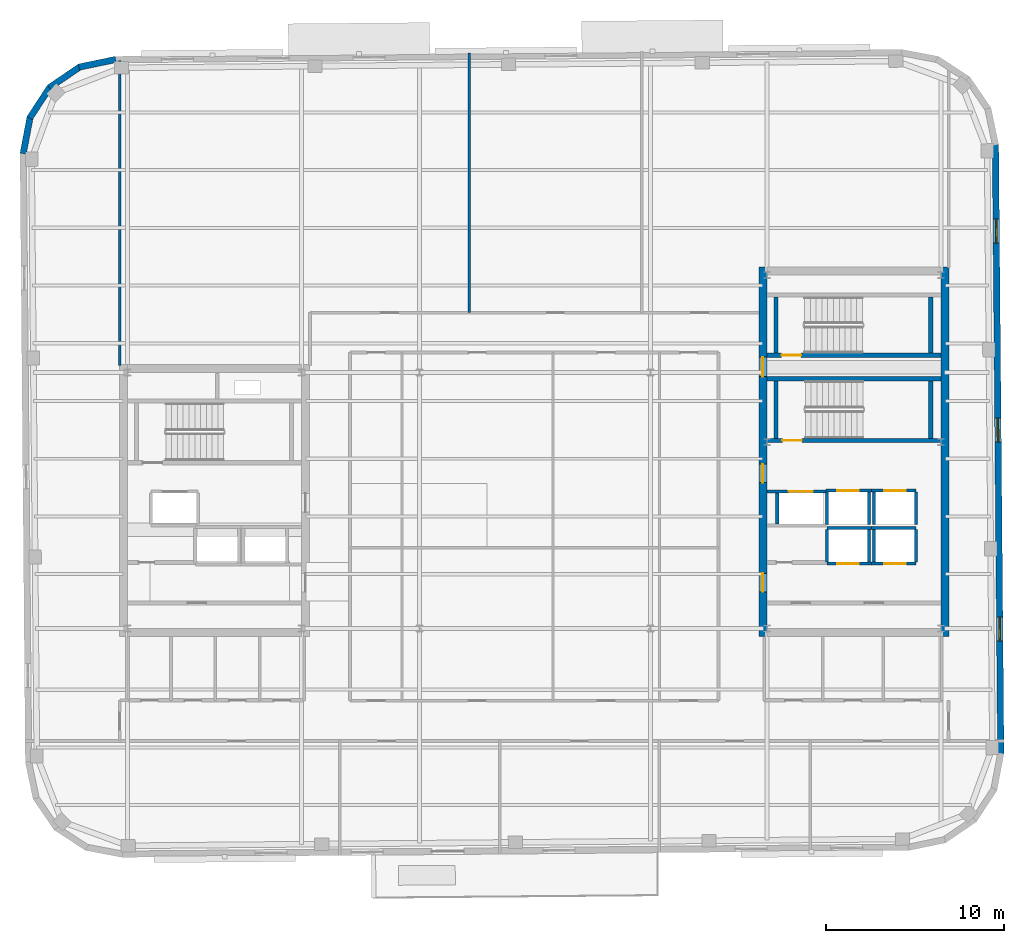
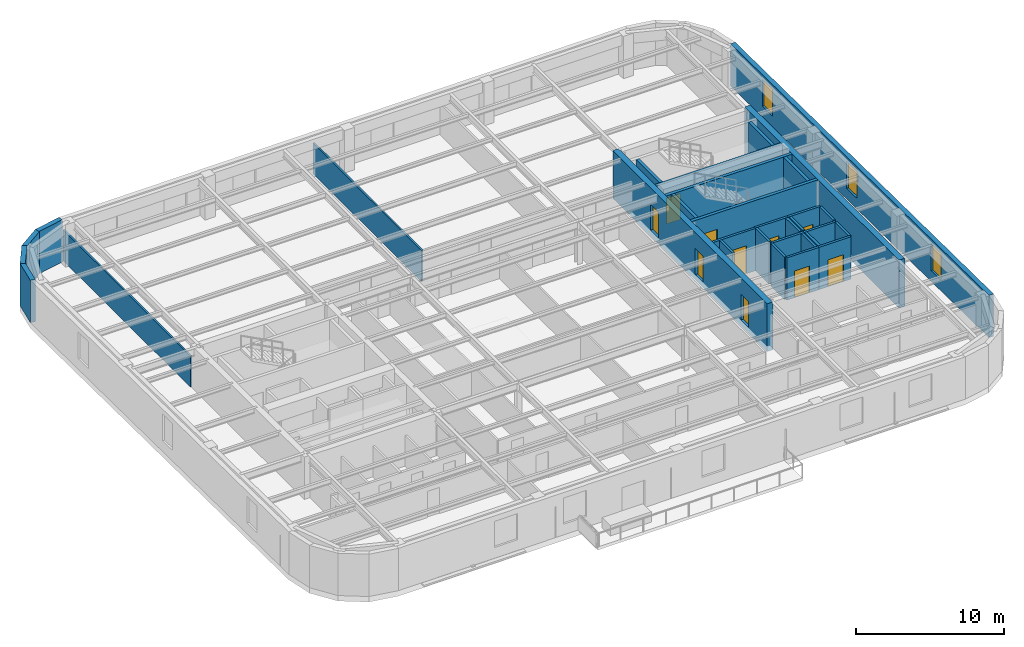
# One storey, part 9 of 14: 32 walls, 10 doors, 3 windows, 13 openings.
"""IFC4 building model written with IfcOpenShell, lengths in metres."""

import ifcopenshell
import ifcopenshell.guid

model = None  # the IFC model being written
_history = None  # IfcOwnerHistory: only IFC2X3 demands one
_inside = {}  # id of a spatial element -> (the spatial element, [elements in it])
_under = {}  # id of a project, library or spatial element -> (it, [spatial elements below it])
_declared = {}  # id of a project -> (the project, [libraries it declares])
_typed = {}  # id of a type object -> (the type object, [elements of that type])
_made_of = {}  # id of a material, layer set ... -> (it, [elements and type objects made of it])


def new_model(schema):
    """Start an empty IFC model of exactly this schema.

    Asked for "IFC4X3", IfcOpenShell would pick the latest addendum, in which some entities
    have other attributes; the version numbers below select the first issue.
    IFC2X3 requires an IfcOwnerHistory on every rooted entity: one is made here for all.
    """
    global model, _history
    if schema == "IFC4X3":
        model = ifcopenshell.file(schema_version=(4, 3, 0, 0))
    else:
        model = ifcopenshell.file(schema=schema)
    _inside.clear()
    _under.clear()
    _declared.clear()
    _typed.clear()
    _made_of.clear()
    _history = None
    if model.schema == "IFC2X3":
        org = make("IfcOrganization", Name="unknown")
        user = make(
            "IfcPersonAndOrganization",
            ThePerson=make("IfcPerson", FamilyName="unknown"),
            TheOrganization=org,
        )
        app = make(
            "IfcApplication",
            ApplicationDeveloper=org,
            Version="unknown",
            ApplicationFullName="unknown",
            ApplicationIdentifier="unknown",
        )
        _history = make(
            "IfcOwnerHistory",
            OwningUser=user,
            OwningApplication=app,
            ChangeAction="ADDED",
            CreationDate=0,
        )
    return model


def make(cls, **values):
    """One entity of the class cls with the attributes given. An attribute that is None is left unset."""
    return model.create_entity(
        cls, **{name: value for name, value in values.items() if value is not None}
    )


def rooted(cls, **values):
    """An entity with a GlobalId (a new one), such as an element, a storey or a relation."""
    return make(cls, GlobalId=ifcopenshell.guid.new(), OwnerHistory=_history, **values)


def si_unit(unit_type, name, prefix=None):
    """IfcSIUnit, for example si_unit("LENGTHUNIT", "METRE", prefix="MILLI")."""
    return make("IfcSIUnit", UnitType=unit_type, Prefix=prefix, Name=name)


def assignment(units):
    """IfcUnitAssignment: the units of a project."""
    return None if units is None else make("IfcUnitAssignment", Units=units)


def point(xyz):
    """IfcCartesianPoint."""
    return None if xyz is None else make("IfcCartesianPoint", Coordinates=xyz)


def direction(xyz):
    """IfcDirection."""
    return None if xyz is None else make("IfcDirection", DirectionRatios=xyz)


def frame(location, z_axis=None, x_axis=None):
    """IfcAxis2Placement3D, a coordinate frame: its origin and axes. An axis left out is left unset."""
    return make(
        "IfcAxis2Placement3D",
        Location=point(location),
        Axis=direction(z_axis),
        RefDirection=direction(x_axis),
    )


def frame_2d(location, x_axis=None):
    """IfcAxis2Placement2D, a coordinate frame in the plane: its origin and x axis."""
    return make(
        "IfcAxis2Placement2D", Location=point(location), RefDirection=direction(x_axis)
    )


def origin():
    """The frame at (0, 0, 0) with its axes left unset."""
    return frame((0.0, 0.0, 0.0))


def place(relative_to, where):
    """IfcLocalPlacement: puts the frame where relative to a parent placement (None: the world)."""
    return make(
        "IfcLocalPlacement", PlacementRelTo=relative_to, RelativePlacement=where
    )


def context(
    kind, dimensions, precision=None, world=None, true_north=None, identifier=None
):
    """IfcGeometricRepresentationContext, for example the 3D "Model" context."""
    return make(
        "IfcGeometricRepresentationContext",
        ContextIdentifier=identifier,
        ContextType=kind,
        CoordinateSpaceDimension=dimensions,
        Precision=precision,
        WorldCoordinateSystem=world,
        TrueNorth=true_north,
    )


def subcontext(parent, identifier, kind, view, scale=None):
    """IfcGeometricRepresentationSubContext, for example "Body" below "Model"."""
    return make(
        "IfcGeometricRepresentationSubContext",
        ContextIdentifier=identifier,
        ContextType=kind,
        ParentContext=parent,
        TargetScale=scale,
        TargetView=view,
    )


def project(units=None, contexts=None):
    """IfcProject with its units and contexts."""
    return rooted(
        "IfcProject",
        Name="project",
        RepresentationContexts=contexts,
        UnitsInContext=assignment(units),
    )


def spatial(cls, under=None, at=None, **own):
    """A site, building, storey or space (cls), placed at a placement, below another one or the project."""
    s = rooted(cls, ObjectPlacement=at, **own)
    if under is not None:
        _under.setdefault(under.id(), (under, []))[1].append(s)
    return s


def profile(cls, at=None, kind="AREA", **sizes):
    """A parametric profile (cls). Its sizes go by their IFC names, for example OverallWidth=200.0."""
    return make(cls, ProfileType=kind, Position=at, **sizes)


def rectangle(**sizes):
    """IfcRectangleProfileDef."""
    return profile("IfcRectangleProfileDef", **sizes)


def extrude(swept, where, along, depth):
    """IfcExtrudedAreaSolid: the profile swept, set in the frame where, extruded along a direction by depth."""
    return make(
        "IfcExtrudedAreaSolid",
        SweptArea=swept,
        Position=where,
        ExtrudedDirection=direction(along),
        Depth=depth,
    )


def shape(context_of_items, identifier, shape_type, items):
    """IfcShapeRepresentation: the items that make up one representation, for example the "Body"."""
    return make(
        "IfcShapeRepresentation",
        ContextOfItems=context_of_items,
        RepresentationIdentifier=identifier,
        RepresentationType=shape_type,
        Items=items,
    )


def material(Name=None, Category=None):
    """IfcMaterial."""
    return make("IfcMaterial", Name=Name, Category=Category)


def layer(
    of_material, thickness, ventilated=None, Name=None, Category=None, Priority=None
):
    """IfcMaterialLayer: one layer of a wall or slab, of a material (None: an air gap)."""
    return make(
        "IfcMaterialLayer",
        Material=of_material,
        LayerThickness=thickness,
        IsVentilated=ventilated,
        Name=Name,
        Category=Category,
        Priority=Priority,
    )


def layer_set(layers, Name=None):
    """IfcMaterialLayerSet."""
    return make("IfcMaterialLayerSet", MaterialLayers=layers, LayerSetName=Name)


def made_of(thing, what):
    """Note that an element or type object is made of a material, layer set ...; save() writes the relation."""
    if what is not None:
        _made_of.setdefault(what.id(), (what, []))[1].append(thing)
    return thing


def type_object(cls, material=None, **own):
    """A type object (cls), such as IfcWallType, which elements share."""
    return made_of(rooted(cls, **own), material)


def element(
    cls,
    number,
    at=None,
    inside=None,
    cuts=None,
    type_object=None,
    material=None,
    context=None,
    identifier="Body",
    shape_type=None,
    held_by="IfcProductDefinitionShape",
    body=None,
    shapes=None,
    **own,
):
    """One element of the class cls, such as IfcWall. Its Tag is "e" and its number.

    at: its placement. inside: the storey or other place that contains it. cuts: it is an
    opening in that element (IfcRelVoidsElement). A single representation is given by context,
    identifier, shape_type and body (its items); several are given by shapes. held_by: the class
    of the entity that holds the representations. save() writes the other relations.
    """
    e = rooted(cls, Tag="e%d" % number, ObjectPlacement=at, **own)
    if body is not None:
        shapes = [shape(context, identifier, shape_type, body)]
    if shapes is not None:
        e.Representation = make(held_by, Representations=shapes)
    if inside is not None:
        _inside.setdefault(inside.id(), (inside, []))[1].append(e)
    if cuts is not None:
        rooted(
            "IfcRelVoidsElement", RelatingBuildingElement=cuts, RelatedOpeningElement=e
        )
    if type_object is not None:
        _typed.setdefault(type_object.id(), (type_object, []))[1].append(e)
    return made_of(e, material)


def fill(opening, filler):
    """IfcRelFillsElement: the door or window that sits in an opening."""
    return rooted(
        "IfcRelFillsElement",
        RelatingOpeningElement=opening,
        RelatedBuildingElement=filler,
    )


def aggregate(whole, parts):
    """IfcRelAggregates: a whole, such as a stair, and the parts it consists of."""
    return rooted("IfcRelAggregates", RelatingObject=whole, RelatedObjects=parts)


def save(model, path):
    """Write the relations noted so far, then the file.

    IfcRelAggregates (storeys below a building ...), IfcRelContainedInSpatialStructure (elements
    in a storey), IfcRelDefinesByType, IfcRelAssociatesMaterial and IfcRelDeclares: one each for
    every whole, place, type object, material and project.
    """
    for whole, parts in _under.values():
        aggregate(whole, parts)
    for where, things in _inside.values():
        rooted(
            "IfcRelContainedInSpatialStructure",
            RelatedElements=things,
            RelatingStructure=where,
        )
    for kind, things in _typed.values():
        rooted("IfcRelDefinesByType", RelatedObjects=things, RelatingType=kind)
    for what, things in _made_of.values():
        rooted("IfcRelAssociatesMaterial", RelatedObjects=things, RelatingMaterial=what)
    for by, libraries in _declared.values():
        rooted("IfcRelDeclares", RelatingContext=by, RelatedDefinitions=libraries)
    model.write(path)


model = new_model("IFC4")

# Units and contexts
model_context = context("Model", 3, precision=1e-05, world=origin(), true_north=direction((0.0, 1.0)))
body_context = subcontext(model_context, "Body", "Model", "MODEL_VIEW")
ifc_project = project(units=[si_unit("LENGTHUNIT", "METRE"), si_unit("AREAUNIT", "SQUARE_METRE"), si_unit("VOLUMEUNIT", "CUBIC_METRE"), si_unit("PLANEANGLEUNIT", "RADIAN"), si_unit("MASSUNIT", "GRAM", prefix="KILO")], contexts=[model_context])

# Site, building, storey
site_placement = place(None, origin())
site = spatial("IfcSite", under=ifc_project, at=site_placement, CompositionType="ELEMENT")
building_placement = place(site_placement, origin())
building = spatial("IfcBuilding", under=site, at=building_placement, Name="Kolvaren Arena Tower", CompositionType="ELEMENT")
storey_placement = place(building_placement, frame((0.0, 0.0, 274.89990234375)))
storey = spatial("IfcBuildingStorey", under=building, at=storey_placement, Name="L67", CompositionType="ELEMENT", Elevation=274.89990234375)

# Wall, openings, doors
ifc_material_1 = material(Name="Concrete 55 MPa", Category="concrete")
ifc_layer_1 = layer(ifc_material_1, 0.449951171875)
ifc_layer_set_1 = layer_set([ifc_layer_1], Name="Concrete 55 MPa")
wall_type_1 = type_object("IfcWallType", Name="CWALL-450", PredefinedType="SHEAR", material=ifc_layer_set_1)
wall_1_placement = place(storey_placement, frame((50.324951171875, 19.0, -0.449951171875), z_axis=(0.0, 0.0, 1.0), x_axis=(0.0, 1.0, 0.0)))
wall_1 = element("IfcWall", 1, at=wall_1_placement, inside=storey, type_object=wall_type_1, Name="Core Shear Wall EC-WEST (L67)", PredefinedType="SHEAR", context=body_context, shape_type="SweptSolid", body=[
    extrude(rectangle(XDim=20.800048828125, YDim=0.449951171875, at=frame_2d((10.39990234375, 0.0))), origin(), (0.0, 0.0, 1.0), 3.929931640625),
])
opening_1_placement = place(wall_1_placement, frame((2.5, 0.0, 0.449951171875)))
opening_1 = element("IfcOpeningElement", 2, at=opening_1_placement, cuts=wall_1, Name="Opening D04", PredefinedType="OPENING", context=body_context, shape_type="SweptSolid", body=[
    extrude(rectangle(XDim=1.050048828125, YDim=2.14990234375, at=frame_2d((0.52490234375, 1.074951171875))), frame((0.0, 0.23486328125, 0.0), z_axis=(0.0, -1.0, 0.0), x_axis=(1.0, 0.0, 0.0)), (0.0, 0.0, 1.0), 0.469970703125),
])
opening_2_placement = place(wall_1_placement, frame((8.64990234375, 0.0, 0.449951171875)))
opening_2 = element("IfcOpeningElement", 3, at=opening_2_placement, cuts=wall_1, Name="Opening D04", PredefinedType="OPENING", context=body_context, shape_type="SweptSolid", body=[
    extrude(rectangle(XDim=1.050048828125, YDim=2.14990234375, at=frame_2d((0.52490234375, 1.074951171875))), frame((0.0, 0.23486328125, 0.0), z_axis=(0.0, -1.0, 0.0), x_axis=(1.0, 0.0, 0.0)), (0.0, 0.0, 1.0), 0.469970703125),
])
opening_3_placement = place(wall_1_placement, frame((14.6201171875, 0.0, 0.449951171875)))
opening_3 = element("IfcOpeningElement", 4, at=opening_3_placement, cuts=wall_1, Name="Opening D03", PredefinedType="OPENING", context=body_context, shape_type="SweptSolid", body=[
    extrude(rectangle(XDim=1.10009765625, YDim=2.14990234375, at=frame_2d((0.550048828125, 1.074951171875))), frame((0.0, 0.23486328125, 0.0), z_axis=(0.0, -1.0, 0.0), x_axis=(1.0, 0.0, 0.0)), (0.0, 0.0, 1.0), 0.469970703125),
])
ifc_material_2 = material(Name="Fire-rated steel lobby door", Category="steel")
door_type_1 = type_object("IfcDoorType", Name="DOOR-FF-105", OperationType="NOTDEFINED", PredefinedType="DOOR", material=ifc_material_2)
door_1_placement = place(opening_1_placement, origin())
door_1 = element("IfcDoor", 5, at=door_1_placement, inside=storey, type_object=door_type_1, Name="East Lift Lobby Fire Door (L67)", OperationType="SINGLE_SWING_RIGHT", OverallHeight=2.14990234375, OverallWidth=1.050048828125, PredefinedType="DOOR", context=body_context, shape_type="SweptSolid", body=[
    extrude(rectangle(XDim=1.050048828125, YDim=2.14990234375, at=frame_2d((0.52490234375, 1.074951171875))), frame((0.0, 0.02490234375, 0.0), z_axis=(0.0, -1.0, 0.0), x_axis=(1.0, 0.0, 0.0)), (0.0, 0.0, 1.0), 0.050048828125),
])
fill(opening_1, door_1)
door_2_placement = place(opening_2_placement, origin())
door_2 = element("IfcDoor", 6, at=door_2_placement, inside=storey, type_object=door_type_1, Name="East Firefighter Vestibule Door (L67)", OperationType="SINGLE_SWING_LEFT", OverallHeight=2.14990234375, OverallWidth=1.050048828125, PredefinedType="DOOR", context=body_context, shape_type="SweptSolid", body=[
    extrude(rectangle(XDim=1.050048828125, YDim=2.14990234375, at=frame_2d((0.52490234375, 1.074951171875))), frame((0.0, 0.02490234375, 0.0), z_axis=(0.0, -1.0, 0.0), x_axis=(1.0, 0.0, 0.0)), (0.0, 0.0, 1.0), 0.050048828125),
])
fill(opening_2, door_2)
ifc_material_3 = material(Name="Fire-rated steel exit stair door", Category="steel")
door_type_2 = type_object("IfcDoorType", Name="DOOR-ST-110", OperationType="NOTDEFINED", PredefinedType="DOOR", material=ifc_material_3)
door_3_placement = place(opening_3_placement, origin())
door_3 = element("IfcDoor", 7, at=door_3_placement, inside=storey, type_object=door_type_2, Name="Stair ST-E2 Vestibule Fire Door (L67)", OperationType="SINGLE_SWING_LEFT", OverallHeight=2.14990234375, OverallWidth=1.10009765625, PredefinedType="DOOR", context=body_context, shape_type="SweptSolid", body=[
    extrude(rectangle(XDim=1.10009765625, YDim=2.14990234375, at=frame_2d((0.550048828125, 1.074951171875))), frame((0.0, 0.02490234375, 0.0), z_axis=(0.0, -1.0, 0.0), x_axis=(1.0, 0.0, 0.0)), (0.0, 0.0, 1.0), 0.050048828125),
])
fill(opening_3, door_3)

# Wall
wall_2_placement = place(storey_placement, frame((60.574951171875, 19.0, -0.449951171875), z_axis=(0.0, 0.0, 1.0), x_axis=(0.0, 1.0, 0.0)))
element("IfcWall", 8, at=wall_2_placement, inside=storey, type_object=wall_type_1, Name="Core Shear Wall EC-EAST (L67)", PredefinedType="SHEAR", context=body_context, shape_type="SweptSolid", body=[
    extrude(rectangle(XDim=20.800048828125, YDim=0.449951171875, at=frame_2d((10.39990234375, 0.0))), origin(), (0.0, 0.0, 1.0), 3.929931640625),
])

# Wall, openings, windows
ifc_material_4 = material(Name="Precast concrete C50/60", Category="concrete")
ifc_layer_2 = layer(ifc_material_4, 0.360107421875)
ifc_layer_set_2 = layer_set([ifc_layer_2], Name="Precast concrete C50/60")
wall_type_2 = type_object("IfcWallType", Name="EXT-PIER2", PredefinedType="SOLIDWALL", material=ifc_layer_set_2)
wall_3_placement = place(storey_placement, frame((63.419189453125, 46.688232421875, 0.0), z_axis=(0.0, 0.0, 1.0), x_axis=(0.008726391715, -0.999961924319, 0.0)))
wall_3 = element("IfcWall", 9, at=wall_3_placement, inside=storey, type_object=wall_type_2, Name="Exterior Precast Masonry-Frame Wall (L67)", PredefinedType="SOLIDWALL", context=body_context, shape_type="SweptSolid", body=[
    extrude(rectangle(XDim=34.300048828125, YDim=0.360107421875, at=frame_2d((17.14990234375, 0.0))), origin(), (0.0, 0.0, 1.0), 3.47998046875),
])
opening_4_placement = place(wall_3_placement, frame((4.199951171875, 0.0, 0.8798828125)))
opening_4 = element("IfcOpeningElement", 10, at=opening_4_placement, cuts=wall_3, Name="Opening W04", PredefinedType="OPENING", context=body_context, shape_type="SweptSolid", body=[
    extrude(rectangle(XDim=1.35009765625, YDim=2.199951171875, at=frame_2d((0.675048828125, 1.10009765625))), frame((0.0, 0.18994140625, 0.0), z_axis=(0.0, -1.0, 0.0), x_axis=(1.0, 0.0, 0.0)), (0.0, 0.0, 1.0), 0.380126953125),
])
opening_5_placement = place(wall_3_placement, frame((15.39990234375, 0.0, 0.8798828125)))
opening_5 = element("IfcOpeningElement", 11, at=opening_5_placement, cuts=wall_3, Name="Opening W04", PredefinedType="OPENING", context=body_context, shape_type="SweptSolid", body=[
    extrude(rectangle(XDim=1.35009765625, YDim=2.199951171875, at=frame_2d((0.675048828125, 1.10009765625))), frame((0.0, 0.18994140625, 0.0), z_axis=(0.0, -1.0, 0.0), x_axis=(1.0, 0.0, 0.0)), (0.0, 0.0, 1.0), 0.380126953125),
])
opening_6_placement = place(wall_3_placement, frame((26.60009765625, 0.0, 0.8798828125)))
opening_6 = element("IfcOpeningElement", 12, at=opening_6_placement, cuts=wall_3, Name="Opening W04", PredefinedType="OPENING", context=body_context, shape_type="SweptSolid", body=[
    extrude(rectangle(XDim=1.35009765625, YDim=2.199951171875, at=frame_2d((0.675048828125, 1.10009765625))), frame((0.0, 0.18994140625, 0.0), z_axis=(0.0, -1.0, 0.0), x_axis=(1.0, 0.0, 0.0)), (0.0, 0.0, 1.0), 0.380126953125),
])
ifc_material_5 = material(Name="Triple-glazed curved-facet corner window", Category="glass")
window_type = type_object("IfcWindowType", Name="WIN-CRN-A", PartitioningType="SINGLE_PANEL", PredefinedType="WINDOW", material=ifc_material_5)
window_1_placement = place(opening_4_placement, origin())
window_1 = element("IfcWindow", 13, at=window_1_placement, inside=storey, type_object=window_type, Name="End-Wall Punched Window (L67)", OverallHeight=2.199951171875, OverallWidth=1.35009765625, PartitioningType="SINGLE_PANEL", PredefinedType="WINDOW", context=body_context, shape_type="SweptSolid", body=[
    extrude(rectangle(XDim=1.35009765625, YDim=2.199951171875, at=frame_2d((0.675048828125, 1.10009765625))), frame((0.0, 0.030029296875, 0.0), z_axis=(0.0, -1.0, 0.0), x_axis=(1.0, 0.0, 0.0)), (0.0, 0.0, 1.0), 0.06005859375),
])
fill(opening_4, window_1)
window_2_placement = place(opening_5_placement, origin())
window_2 = element("IfcWindow", 14, at=window_2_placement, inside=storey, type_object=window_type, Name="End-Wall Punched Window (L67)", OverallHeight=2.199951171875, OverallWidth=1.35009765625, PartitioningType="SINGLE_PANEL", PredefinedType="WINDOW", context=body_context, shape_type="SweptSolid", body=[
    extrude(rectangle(XDim=1.35009765625, YDim=2.199951171875, at=frame_2d((0.675048828125, 1.10009765625))), frame((0.0, 0.030029296875, 0.0), z_axis=(0.0, -1.0, 0.0), x_axis=(1.0, 0.0, 0.0)), (0.0, 0.0, 1.0), 0.06005859375),
])
fill(opening_5, window_2)
window_3_placement = place(opening_6_placement, origin())
window_3 = element("IfcWindow", 15, at=window_3_placement, inside=storey, type_object=window_type, Name="End-Wall Punched Window (L67)", OverallHeight=2.199951171875, OverallWidth=1.35009765625, PartitioningType="SINGLE_PANEL", PredefinedType="WINDOW", context=body_context, shape_type="SweptSolid", body=[
    extrude(rectangle(XDim=1.35009765625, YDim=2.199951171875, at=frame_2d((0.675048828125, 1.10009765625))), frame((0.0, 0.030029296875, 0.0), z_axis=(0.0, -1.0, 0.0), x_axis=(1.0, 0.0, 0.0)), (0.0, 0.0, 1.0), 0.06005859375),
])
fill(opening_6, window_3)

# Walls
for number, where, z_axis, x_axis, name in (
    (16, (11.827880859375, 51.050537109375, 0.0), (0.0, 0.0, 1.0), (0.97905458633, 0.203597929717, 0.0), "Exterior Precast Masonry-Frame Wall (L67)"),
    (17, (10.15087890625, 49.89208984375, 0.0), (0.0, 0.0, 1.0), (0.826609569219, 0.56277581689, 0.0), "Exterior Precast Masonry-Frame Wall (L67)"),
):
    element("IfcWall", number, at=place(storey_placement, frame(where, z_axis=z_axis, x_axis=x_axis)), inside=storey, type_object=wall_type_2, Name=name, PredefinedType="SOLIDWALL", context=body_context, shape_type="SweptSolid", body=[
        extrude(rectangle(XDim=2.10693359375, YDim=0.360107421875, at=frame_2d((1.053466796875, 0.0))), origin(), (0.0, 0.0, 1.0), 3.47998046875),
    ])
for number, where, z_axis, x_axis, name in (
    (18, (9.044921875, 48.18017578125, 0.0), (0.0, 0.0, 1.0), (0.548266637224, 0.836303589916, 0.0), "Exterior Precast Masonry-Frame Wall (L67)"),
    (19, (8.67822265625, 46.17529296875, 0.0), (0.0, 0.0, 1.0), (0.186547695246, 0.982445905584, 0.0), "Exterior Precast Masonry-Frame Wall (L67)"),
):
    element("IfcWall", number, at=place(storey_placement, frame(where, z_axis=z_axis, x_axis=x_axis)), inside=storey, type_object=wall_type_2, Name=name, PredefinedType="SOLIDWALL", context=body_context, shape_type="SweptSolid", body=[
        extrude(rectangle(XDim=2.107177734375, YDim=0.360107421875, at=frame_2d((1.0537109375, 0.0))), origin(), (0.0, 0.0, 1.0), 3.47998046875),
    ])
ifc_material_6 = material(Name="Gypsum board partition assembly", Category="gypsum")
ifc_layer_3 = layer(ifc_material_6, 0.135009765625)
ifc_layer_set_3 = layer_set([ifc_layer_3], Name="Gypsum board partition assembly")
wall_type_3 = type_object("IfcWallType", Name="PART-135", PredefinedType="PARTITIONING", material=ifc_layer_set_3)
wall_4_placement = place(storey_placement, frame((33.800048828125, 37.219970703125, 0.0), z_axis=(0.0, 0.0, 1.0), x_axis=(0.0, 1.0, 0.0)))
element("IfcWall", 20, at=wall_4_placement, inside=storey, type_object=wall_type_3, Name="Interior Partition Wall (L67)", PredefinedType="PARTITIONING", context=body_context, shape_type="SweptSolid", body=[
    extrude(rectangle(XDim=14.60986328125, YDim=0.135009765625, at=frame_2d((7.304931640625, 0.0))), origin(), (0.0, 0.0, 1.0), 2.5400390625),
])
wall_5_placement = place(storey_placement, frame((14.1201171875, 34.25, 0.0), z_axis=(0.0, 0.0, 1.0), x_axis=(0.0, 1.0, 0.0)))
element("IfcWall", 21, at=wall_5_placement, inside=storey, type_object=wall_type_3, Name="Interior Partition Wall (L67)", PredefinedType="PARTITIONING", context=body_context, shape_type="SweptSolid", body=[
    extrude(rectangle(XDim=17.168212890625, YDim=0.135009765625, at=frame_2d((8.583984375, 0.0))), origin(), (0.0, 0.0, 1.0), 2.5400390625),
])

# Wall, opening, door
ifc_material_7 = material(Name="Concrete 45 MPa", Category="concrete")
ifc_layer_4 = layer(ifc_material_7, 0.25)
ifc_layer_set_4 = layer_set([ifc_layer_4], Name="Concrete 45 MPa")
wall_type_4 = type_object("IfcWallType", Name="SHAFT-250", PredefinedType="SOLIDWALL", material=ifc_layer_set_4)
wall_6_placement = place(storey_placement, frame((60.35009765625, 30.030029296875, 0.0), z_axis=(0.0, 0.0, 1.0), x_axis=(-1.0, 0.0, 0.0)))
wall_6 = element("IfcWall", 22, at=wall_6_placement, inside=storey, type_object=wall_type_4, Name="Core Shaft Wall (L67)", PredefinedType="SOLIDWALL", context=body_context, shape_type="SweptSolid", body=[
    extrude(rectangle(XDim=9.800048828125, YDim=0.239990234375, at=frame_2d((4.89990234375, 0.0))), origin(), (0.0, 0.0, 1.0), 3.47998046875),
])
opening_7_placement = place(wall_6_placement, frame((7.830078125, 0.0, 0.0)))
opening_7 = element("IfcOpeningElement", 23, at=opening_7_placement, cuts=wall_6, Name="Opening D03", PredefinedType="OPENING", context=body_context, shape_type="SweptSolid", body=[
    extrude(rectangle(XDim=1.10009765625, YDim=2.14990234375, at=frame_2d((0.550048828125, 1.074951171875))), frame((0.0, 0.1298828125, 0.0), z_axis=(0.0, -1.0, 0.0), x_axis=(1.0, 0.0, 0.0)), (0.0, 0.0, 1.0), 0.260009765625),
])
door_4_placement = place(opening_7_placement, origin())
door_4 = element("IfcDoor", 24, at=door_4_placement, inside=storey, type_object=door_type_2, Name="Stair ST-E1 Fire Door (L67)", OperationType="SINGLE_SWING_LEFT", OverallHeight=2.14990234375, OverallWidth=1.10009765625, PredefinedType="DOOR", context=body_context, shape_type="SweptSolid", body=[
    extrude(rectangle(XDim=1.10009765625, YDim=2.14990234375, at=frame_2d((0.550048828125, 1.074951171875))), frame((0.0, 0.02490234375, 0.0), z_axis=(0.0, -1.0, 0.0), x_axis=(1.0, 0.0, 0.0)), (0.0, 0.0, 1.0), 0.050048828125),
])
fill(opening_7, door_4)

# Walls
wall_7_placement = place(storey_placement, frame((50.550048828125, 33.5, 0.0), z_axis=(0.0, 0.0, 1.0), x_axis=(1.0, 0.0, 0.0)))
element("IfcWall", 25, at=wall_7_placement, inside=storey, type_object=wall_type_4, Name="Core Shaft Wall (L67)", PredefinedType="SOLIDWALL", context=body_context, shape_type="SweptSolid", body=[
    extrude(rectangle(XDim=9.800048828125, YDim=0.239990234375, at=frame_2d((4.89990234375, 0.0))), origin(), (0.0, 0.0, 1.0), 3.47998046875),
])
for number, where, z_axis, x_axis, name in (
    (26, (51.06005859375, 30.14990234375, 0.0), (0.0, 0.0, 1.0), (0.0, 1.0, 0.0), "Core Shaft Wall (L67)"),
    (27, (59.780029296875, 30.14990234375, 0.0), (0.0, 0.0, 1.0), (0.0, 1.0, 0.0), "Core Shaft Wall (L67)"),
):
    element("IfcWall", number, at=place(storey_placement, frame(where, z_axis=z_axis, x_axis=x_axis)), inside=storey, type_object=wall_type_4, Name=name, PredefinedType="SOLIDWALL", context=body_context, shape_type="SweptSolid", body=[
        extrude(rectangle(XDim=3.22998046875, YDim=0.239990234375, at=frame_2d((1.614990234375, 0.0))), origin(), (0.0, 0.0, 1.0), 3.47998046875),
    ])

# Wall, opening, door
wall_8_placement = place(storey_placement, frame((60.35009765625, 34.830078125, 0.0), z_axis=(0.0, 0.0, 1.0), x_axis=(-1.0, 0.0, 0.0)))
wall_8 = element("IfcWall", 28, at=wall_8_placement, inside=storey, type_object=wall_type_4, Name="Core Shaft Wall (L67)", PredefinedType="SOLIDWALL", context=body_context, shape_type="SweptSolid", body=[
    extrude(rectangle(XDim=9.800048828125, YDim=0.239990234375, at=frame_2d((4.89990234375, 0.0))), origin(), (0.0, 0.0, 1.0), 3.47998046875),
])
opening_8_placement = place(wall_8_placement, frame((7.8701171875, 0.0, 0.0)))
opening_8 = element("IfcOpeningElement", 29, at=opening_8_placement, cuts=wall_8, Name="Opening D03", PredefinedType="OPENING", context=body_context, shape_type="SweptSolid", body=[
    extrude(rectangle(XDim=1.10009765625, YDim=2.14990234375, at=frame_2d((0.550048828125, 1.074951171875))), frame((0.0, 0.1298828125, 0.0), z_axis=(0.0, -1.0, 0.0), x_axis=(1.0, 0.0, 0.0)), (0.0, 0.0, 1.0), 0.260009765625),
])
door_5_placement = place(opening_8_placement, origin())
door_5 = element("IfcDoor", 30, at=door_5_placement, inside=storey, type_object=door_type_2, Name="Stair ST-E2 Fire Door (L67)", OperationType="SINGLE_SWING_LEFT", OverallHeight=2.14990234375, OverallWidth=1.10009765625, PredefinedType="DOOR", context=body_context, shape_type="SweptSolid", body=[
    extrude(rectangle(XDim=1.10009765625, YDim=2.14990234375, at=frame_2d((0.550048828125, 1.074951171875))), frame((0.0, 0.02490234375, 0.0), z_axis=(0.0, -1.0, 0.0), x_axis=(1.0, 0.0, 0.0)), (0.0, 0.0, 1.0), 0.050048828125),
])
fill(opening_8, door_5)

# Walls
for number, where, z_axis, x_axis, name in (
    (31, (51.06005859375, 34.949951171875, 0.0), (0.0, 0.0, 1.0), (0.0, 1.0, 0.0), "Core Shaft Wall (L67)"),
    (32, (59.780029296875, 34.949951171875, 0.0), (0.0, 0.0, 1.0), (0.0, 1.0, 0.0), "Core Shaft Wall (L67)"),
):
    element("IfcWall", number, at=place(storey_placement, frame(where, z_axis=z_axis, x_axis=x_axis)), inside=storey, type_object=wall_type_4, Name=name, PredefinedType="SOLIDWALL", context=body_context, shape_type="SweptSolid", body=[
        extrude(rectangle(XDim=3.150146484375, YDim=0.239990234375, at=frame_2d((1.5751953125, 0.0))), origin(), (0.0, 0.0, 1.0), 3.47998046875),
    ])
wall_9_placement = place(storey_placement, frame((53.93994140625, 25.10498046875, 0.0), z_axis=(0.0, 0.0, 1.0), x_axis=(1.0, 0.0, 0.0)))
element("IfcWall", 33, at=wall_9_placement, inside=storey, type_object=wall_type_4, Name="Core Shaft Wall (L67)", PredefinedType="SOLIDWALL", context=body_context, shape_type="SweptSolid", body=[
    extrude(rectangle(XDim=2.5, YDim=0.179931640625, at=frame_2d((1.25, 0.0))), origin(), (0.0, 0.0, 1.0), 3.47998046875),
])

# Wall, opening, door
wall_10_placement = place(storey_placement, frame((53.93994140625, 23.094970703125, 0.0), z_axis=(0.0, 0.0, 1.0), x_axis=(1.0, 0.0, 0.0)))
wall_10 = element("IfcWall", 34, at=wall_10_placement, inside=storey, type_object=wall_type_4, Name="Core Shaft Wall (L67)", PredefinedType="SOLIDWALL", context=body_context, shape_type="SweptSolid", body=[
    extrude(rectangle(XDim=2.5, YDim=0.179931640625, at=frame_2d((1.25, 0.0))), origin(), (0.0, 0.0, 1.0), 3.47998046875),
])
opening_9_placement = place(wall_10_placement, frame((0.580078125, 0.0, 0.0)))
opening_9 = element("IfcOpeningElement", 35, at=opening_9_placement, cuts=wall_10, Name="Opening LD1", PredefinedType="OPENING", context=body_context, shape_type="SweptSolid", body=[
    extrude(rectangle(XDim=1.199951171875, YDim=2.199951171875, at=frame_2d((0.60009765625, 1.10009765625))), frame((0.0, 0.099853515625, 0.0), z_axis=(0.0, -1.0, 0.0), x_axis=(1.0, 0.0, 0.0)), (0.0, 0.0, 1.0), 0.199951171875),
])
ifc_material_8 = material(Name="Stainless steel passenger lift landing door", Category="steel")
door_type_3 = type_object("IfcDoorType", Name="DOOR-LD-120", OperationType="DOUBLE_DOOR_SLIDING", PredefinedType="DOOR", material=ifc_material_8)
door_6_placement = place(opening_9_placement, origin())
door_6 = element("IfcDoor", 36, at=door_6_placement, inside=storey, type_object=door_type_3, Name="Lift EL-HR1 Landing Door (L67)", OperationType="DOUBLE_DOOR_SLIDING", OverallHeight=2.199951171875, OverallWidth=1.199951171875, PredefinedType="DOOR", context=body_context, shape_type="SweptSolid", body=[
    extrude(rectangle(XDim=1.199951171875, YDim=2.199951171875, at=frame_2d((0.60009765625, 1.10009765625))), frame((0.0, 0.02490234375, 0.0), z_axis=(0.0, -1.0, 0.0), x_axis=(1.0, 0.0, 0.0)), (0.0, 0.0, 1.0), 0.050048828125),
])
fill(opening_9, door_6)

# Walls
for number, where, z_axis, x_axis, name in (
    (37, (53.93994140625, 23.18505859375, 0.0), (0.0, 0.0, 1.0), (0.0, 1.0, 0.0), "Core Shaft Wall (L67)"),
    (38, (56.300048828125, 23.18505859375, 0.0), (0.0, 0.0, 1.0), (0.0, 1.0, 0.0), "Core Shaft Wall (L67)"),
):
    element("IfcWall", number, at=place(storey_placement, frame(where, z_axis=z_axis, x_axis=x_axis)), inside=storey, type_object=wall_type_4, Name=name, PredefinedType="SOLIDWALL", context=body_context, shape_type="SweptSolid", body=[
        extrude(rectangle(XDim=1.829833984375, YDim=0.179931640625, at=frame_2d((0.9150390625, 0.0))), origin(), (0.0, 0.0, 1.0), 3.47998046875),
    ])
wall_11_placement = place(storey_placement, frame((56.43994140625, 25.10498046875, 0.0), z_axis=(0.0, 0.0, 1.0), x_axis=(1.0, 0.0, 0.0)))
element("IfcWall", 39, at=wall_11_placement, inside=storey, type_object=wall_type_4, Name="Core Shaft Wall (L67)", PredefinedType="SOLIDWALL", context=body_context, shape_type="SweptSolid", body=[
    extrude(rectangle(XDim=2.5, YDim=0.179931640625, at=frame_2d((1.25, 0.0))), origin(), (0.0, 0.0, 1.0), 3.47998046875),
])

# Wall, opening, door
wall_12_placement = place(storey_placement, frame((56.43994140625, 23.094970703125, 0.0), z_axis=(0.0, 0.0, 1.0), x_axis=(1.0, 0.0, 0.0)))
wall_12 = element("IfcWall", 40, at=wall_12_placement, inside=storey, type_object=wall_type_4, Name="Core Shaft Wall (L67)", PredefinedType="SOLIDWALL", context=body_context, shape_type="SweptSolid", body=[
    extrude(rectangle(XDim=2.5, YDim=0.179931640625, at=frame_2d((1.25, 0.0))), origin(), (0.0, 0.0, 1.0), 3.47998046875),
])
opening_10_placement = place(wall_12_placement, frame((0.719970703125, 0.0, 0.0)))
opening_10 = element("IfcOpeningElement", 41, at=opening_10_placement, cuts=wall_12, Name="Opening LD1", PredefinedType="OPENING", context=body_context, shape_type="SweptSolid", body=[
    extrude(rectangle(XDim=1.199951171875, YDim=2.199951171875, at=frame_2d((0.60009765625, 1.10009765625))), frame((0.0, 0.099853515625, 0.0), z_axis=(0.0, -1.0, 0.0), x_axis=(1.0, 0.0, 0.0)), (0.0, 0.0, 1.0), 0.199951171875),
])
door_7_placement = place(opening_10_placement, origin())
door_7 = element("IfcDoor", 42, at=door_7_placement, inside=storey, type_object=door_type_3, Name="Lift EL-HR2 Landing Door (L67)", OperationType="DOUBLE_DOOR_SLIDING", OverallHeight=2.199951171875, OverallWidth=1.199951171875, PredefinedType="DOOR", context=body_context, shape_type="SweptSolid", body=[
    extrude(rectangle(XDim=1.199951171875, YDim=2.199951171875, at=frame_2d((0.60009765625, 1.10009765625))), frame((0.0, 0.02490234375, 0.0), z_axis=(0.0, -1.0, 0.0), x_axis=(1.0, 0.0, 0.0)), (0.0, 0.0, 1.0), 0.050048828125),
])
fill(opening_10, door_7)

# Walls
for number, where, z_axis, x_axis, name in (
    (43, (56.580078125, 23.18505859375, 0.0), (0.0, 0.0, 1.0), (0.0, 1.0, 0.0), "Core Shaft Wall (L67)"),
    (44, (58.93994140625, 23.18505859375, 0.0), (0.0, 0.0, 1.0), (0.0, 1.0, 0.0), "Core Shaft Wall (L67)"),
):
    element("IfcWall", number, at=place(storey_placement, frame(where, z_axis=z_axis, x_axis=x_axis)), inside=storey, type_object=wall_type_4, Name=name, PredefinedType="SOLIDWALL", context=body_context, shape_type="SweptSolid", body=[
        extrude(rectangle(XDim=1.829833984375, YDim=0.179931640625, at=frame_2d((0.9150390625, 0.0))), origin(), (0.0, 0.0, 1.0), 3.47998046875),
    ])

# Wall, opening, door
wall_13_placement = place(storey_placement, frame((53.864990234375, 27.205078125, 0.0), z_axis=(0.0, 0.0, 1.0), x_axis=(1.0, 0.0, 0.0)))
wall_13 = element("IfcWall", 45, at=wall_13_placement, inside=storey, type_object=wall_type_4, Name="Core Shaft Wall (L67)", PredefinedType="SOLIDWALL", context=body_context, shape_type="SweptSolid", body=[
    extrude(rectangle(XDim=2.574951171875, YDim=0.179931640625, at=frame_2d((1.28759765625, 0.0))), origin(), (0.0, 0.0, 1.0), 3.47998046875),
])
opening_11_placement = place(wall_13_placement, frame((0.655029296875, 0.0, 0.0)))
opening_11 = element("IfcOpeningElement", 46, at=opening_11_placement, cuts=wall_13, Name="Opening LD1", PredefinedType="OPENING", context=body_context, shape_type="SweptSolid", body=[
    extrude(rectangle(XDim=1.199951171875, YDim=2.199951171875, at=frame_2d((0.60009765625, 1.10009765625))), frame((0.0, 0.099853515625, 0.0), z_axis=(0.0, -1.0, 0.0), x_axis=(1.0, 0.0, 0.0)), (0.0, 0.0, 1.0), 0.199951171875),
])
door_8_placement = place(opening_11_placement, origin())
door_8 = element("IfcDoor", 47, at=door_8_placement, inside=storey, type_object=door_type_3, Name="Lift EL-HR3 Landing Door (L67)", OperationType="DOUBLE_DOOR_SLIDING", OverallHeight=2.199951171875, OverallWidth=1.199951171875, PredefinedType="DOOR", context=body_context, shape_type="SweptSolid", body=[
    extrude(rectangle(XDim=1.199951171875, YDim=2.199951171875, at=frame_2d((0.60009765625, 1.10009765625))), frame((0.0, 0.02490234375, 0.0), z_axis=(0.0, -1.0, 0.0), x_axis=(1.0, 0.0, 0.0)), (0.0, 0.0, 1.0), 0.050048828125),
])
fill(opening_11, door_8)

# Walls
for number, where, z_axis, x_axis, name in (
    (48, (53.93994140625, 25.284912109375, 0.0), (0.0, 0.0, 1.0), (0.0, 1.0, 0.0), "Core Shaft Wall (L67)"),
    (49, (56.300048828125, 25.284912109375, 0.0), (0.0, 0.0, 1.0), (0.0, 1.0, 0.0), "Core Shaft Wall (L67)"),
):
    element("IfcWall", number, at=place(storey_placement, frame(where, z_axis=z_axis, x_axis=x_axis)), inside=storey, type_object=wall_type_4, Name=name, PredefinedType="SOLIDWALL", context=body_context, shape_type="SweptSolid", body=[
        extrude(rectangle(XDim=1.830078125, YDim=0.179931640625, at=frame_2d((0.9150390625, 0.0))), origin(), (0.0, 0.0, 1.0), 3.47998046875),
    ])

# Wall, opening, door
wall_14_placement = place(storey_placement, frame((56.43994140625, 27.205078125, 0.0), z_axis=(0.0, 0.0, 1.0), x_axis=(1.0, 0.0, 0.0)))
wall_14 = element("IfcWall", 50, at=wall_14_placement, inside=storey, type_object=wall_type_4, Name="Core Shaft Wall (L67)", PredefinedType="SOLIDWALL", context=body_context, shape_type="SweptSolid", body=[
    extrude(rectangle(XDim=2.5, YDim=0.179931640625, at=frame_2d((1.25, 0.0))), origin(), (0.0, 0.0, 1.0), 3.47998046875),
])
opening_12_placement = place(wall_14_placement, frame((0.719970703125, 0.0, 0.0)))
opening_12 = element("IfcOpeningElement", 51, at=opening_12_placement, cuts=wall_14, Name="Opening LD1", PredefinedType="OPENING", context=body_context, shape_type="SweptSolid", body=[
    extrude(rectangle(XDim=1.199951171875, YDim=2.199951171875, at=frame_2d((0.60009765625, 1.10009765625))), frame((0.0, 0.099853515625, 0.0), z_axis=(0.0, -1.0, 0.0), x_axis=(1.0, 0.0, 0.0)), (0.0, 0.0, 1.0), 0.199951171875),
])
door_9_placement = place(opening_12_placement, origin())
door_9 = element("IfcDoor", 52, at=door_9_placement, inside=storey, type_object=door_type_3, Name="Lift EL-HR4 Landing Door (L67)", OperationType="DOUBLE_DOOR_SLIDING", OverallHeight=2.199951171875, OverallWidth=1.199951171875, PredefinedType="DOOR", context=body_context, shape_type="SweptSolid", body=[
    extrude(rectangle(XDim=1.199951171875, YDim=2.199951171875, at=frame_2d((0.60009765625, 1.10009765625))), frame((0.0, 0.02490234375, 0.0), z_axis=(0.0, -1.0, 0.0), x_axis=(1.0, 0.0, 0.0)), (0.0, 0.0, 1.0), 0.050048828125),
])
fill(opening_12, door_9)

# Walls
for number, where, z_axis, x_axis, name in (
    (53, (56.580078125, 25.284912109375, 0.0), (0.0, 0.0, 1.0), (0.0, 1.0, 0.0), "Core Shaft Wall (L67)"),
    (54, (58.93994140625, 25.284912109375, 0.0), (0.0, 0.0, 1.0), (0.0, 1.0, 0.0), "Core Shaft Wall (L67)"),
):
    element("IfcWall", number, at=place(storey_placement, frame(where, z_axis=z_axis, x_axis=x_axis)), inside=storey, type_object=wall_type_4, Name=name, PredefinedType="SOLIDWALL", context=body_context, shape_type="SweptSolid", body=[
        extrude(rectangle(XDim=1.830078125, YDim=0.179931640625, at=frame_2d((0.9150390625, 0.0))), origin(), (0.0, 0.0, 1.0), 3.47998046875),
    ])

# Wall, opening, door
wall_15_placement = place(storey_placement, frame((50.550048828125, 27.155029296875, 0.0), z_axis=(0.0, 0.0, 1.0), x_axis=(1.0, 0.0, 0.0)))
wall_15 = element("IfcWall", 55, at=wall_15_placement, inside=storey, type_object=wall_type_4, Name="Core Shaft Wall (L67)", PredefinedType="SOLIDWALL", context=body_context, shape_type="SweptSolid", body=[
    extrude(rectangle(XDim=3.31494140625, YDim=0.179931640625, at=frame_2d((1.657470703125, 0.0))), origin(), (0.0, 0.0, 1.0), 3.47998046875),
])
opening_13_placement = place(wall_15_placement, frame((1.235107421875, 0.0, 0.0)))
opening_13 = element("IfcOpeningElement", 56, at=opening_13_placement, cuts=wall_15, Name="Opening LD2", PredefinedType="OPENING", context=body_context, shape_type="SweptSolid", body=[
    extrude(rectangle(XDim=1.35009765625, YDim=2.300048828125, at=frame_2d((0.675048828125, 1.14990234375))), frame((0.0, 0.099853515625, 0.0), z_axis=(0.0, -1.0, 0.0), x_axis=(1.0, 0.0, 0.0)), (0.0, 0.0, 1.0), 0.199951171875),
])
ifc_material_9 = material(Name="Stainless steel firefighter lift landing door", Category="steel")
door_type_4 = type_object("IfcDoorType", Name="DOOR-LD-135", OperationType="DOUBLE_DOOR_SLIDING", PredefinedType="DOOR", material=ifc_material_9)
door_10_placement = place(opening_13_placement, origin())
door_10 = element("IfcDoor", 57, at=door_10_placement, inside=storey, type_object=door_type_4, Name="Firefighter Lift FF-E1 Landing Door (L67)", OperationType="DOUBLE_DOOR_SLIDING", OverallHeight=2.300048828125, OverallWidth=1.35009765625, PredefinedType="DOOR", context=body_context, shape_type="SweptSolid", body=[
    extrude(rectangle(XDim=1.35009765625, YDim=2.300048828125, at=frame_2d((0.675048828125, 1.14990234375))), frame((0.0, 0.02490234375, 0.0), z_axis=(0.0, -1.0, 0.0), x_axis=(1.0, 0.0, 0.0)), (0.0, 0.0, 1.0), 0.050048828125),
])
fill(opening_13, door_10)

# Wall
wall_16_placement = place(storey_placement, frame((51.1298828125, 25.3349609375, 0.0), z_axis=(0.0, 0.0, 1.0), x_axis=(0.0, 1.0, 0.0)))
element("IfcWall", 58, at=wall_16_placement, inside=storey, type_object=wall_type_4, Name="Core Shaft Wall (L67)", PredefinedType="SOLIDWALL", context=body_context, shape_type="SweptSolid", body=[
    extrude(rectangle(XDim=1.72998046875, YDim=0.179931640625, at=frame_2d((0.864990234375, 0.0))), origin(), (0.0, 0.0, 1.0), 3.47998046875),
])

save(model, "model.ifc")
